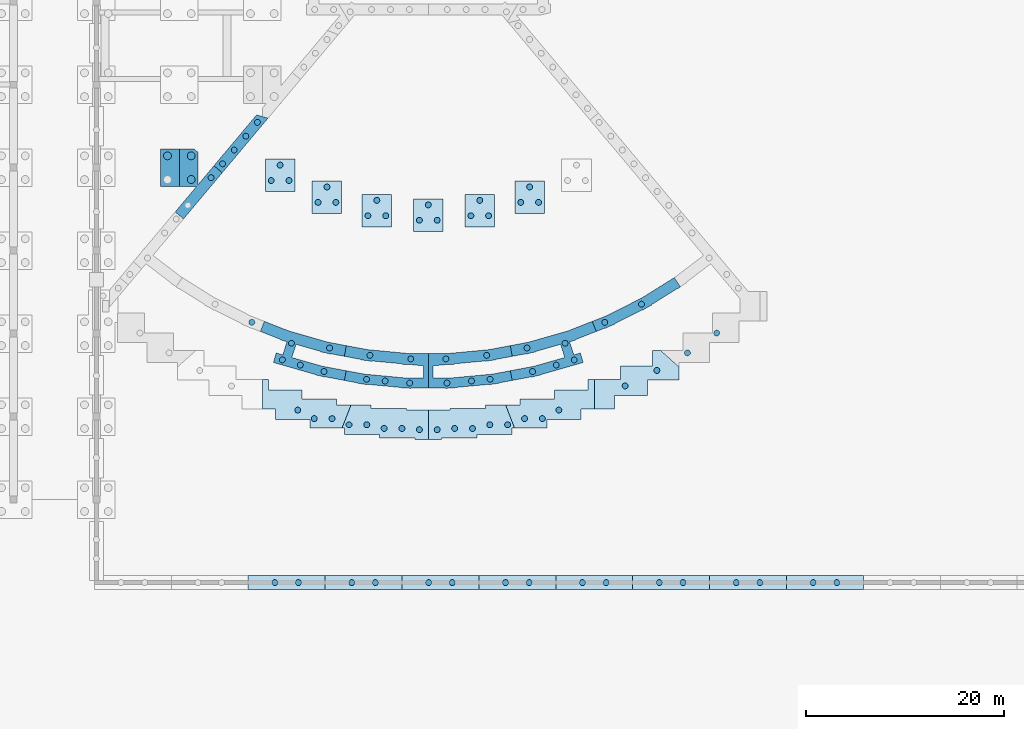
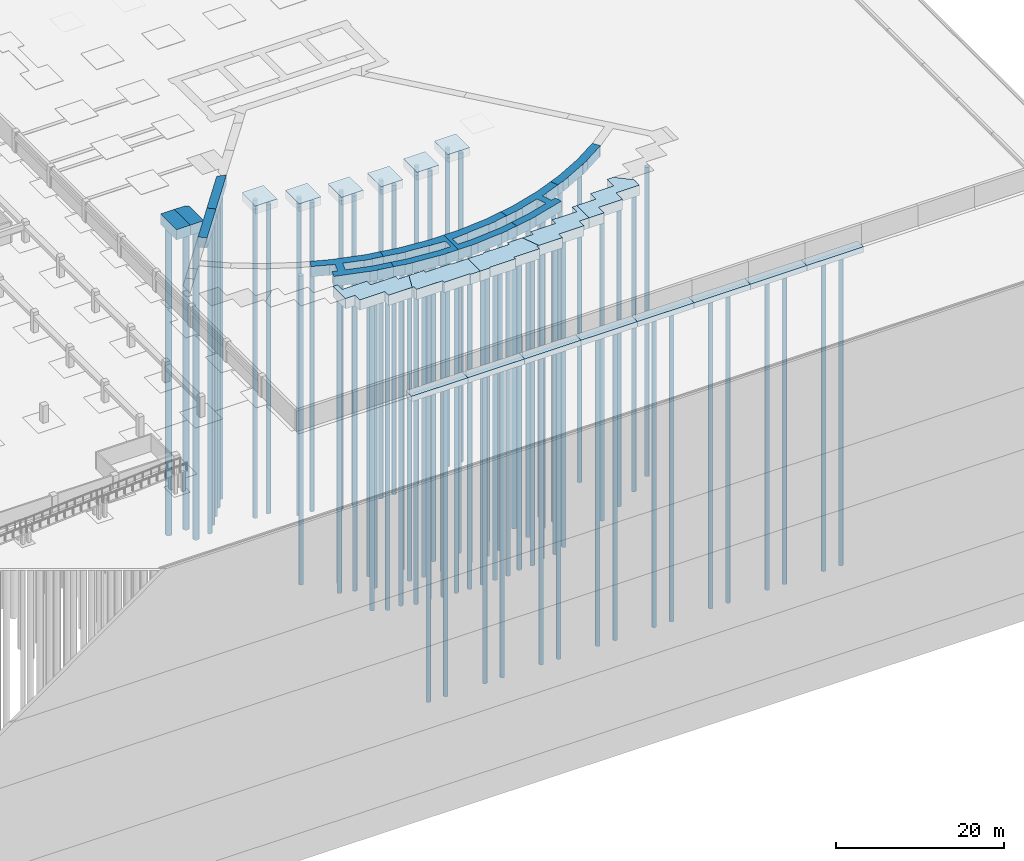
# One storey, part 8 of 67: 85 piles, 27 footings.
"""IFC4 building model written with IfcOpenShell, lengths in metres."""

import ifcopenshell
import ifcopenshell.guid

model = None  # the IFC model being written
_history = None  # IfcOwnerHistory: only IFC2X3 demands one
_inside = {}  # id of a spatial element -> (the spatial element, [elements in it])
_under = {}  # id of a project, library or spatial element -> (it, [spatial elements below it])
_declared = {}  # id of a project -> (the project, [libraries it declares])
_typed = {}  # id of a type object -> (the type object, [elements of that type])
_made_of = {}  # id of a material, layer set ... -> (it, [elements and type objects made of it])


def new_model(schema):
    """Start an empty IFC model of exactly this schema.

    Asked for "IFC4X3", IfcOpenShell would pick the latest addendum, in which some entities
    have other attributes; the version numbers below select the first issue.
    IFC2X3 requires an IfcOwnerHistory on every rooted entity: one is made here for all.
    """
    global model, _history
    if schema == "IFC4X3":
        model = ifcopenshell.file(schema_version=(4, 3, 0, 0))
    else:
        model = ifcopenshell.file(schema=schema)
    _inside.clear()
    _under.clear()
    _declared.clear()
    _typed.clear()
    _made_of.clear()
    _history = None
    if model.schema == "IFC2X3":
        org = make("IfcOrganization", Name="unknown")
        user = make(
            "IfcPersonAndOrganization",
            ThePerson=make("IfcPerson", FamilyName="unknown"),
            TheOrganization=org,
        )
        app = make(
            "IfcApplication",
            ApplicationDeveloper=org,
            Version="unknown",
            ApplicationFullName="unknown",
            ApplicationIdentifier="unknown",
        )
        _history = make(
            "IfcOwnerHistory",
            OwningUser=user,
            OwningApplication=app,
            ChangeAction="ADDED",
            CreationDate=0,
        )
    return model


def make(cls, **values):
    """One entity of the class cls with the attributes given. An attribute that is None is left unset."""
    return model.create_entity(
        cls, **{name: value for name, value in values.items() if value is not None}
    )


def rooted(cls, **values):
    """An entity with a GlobalId (a new one), such as an element, a storey or a relation."""
    return make(cls, GlobalId=ifcopenshell.guid.new(), OwnerHistory=_history, **values)


def si_unit(unit_type, name, prefix=None):
    """IfcSIUnit, for example si_unit("LENGTHUNIT", "METRE", prefix="MILLI")."""
    return make("IfcSIUnit", UnitType=unit_type, Prefix=prefix, Name=name)


def assignment(units):
    """IfcUnitAssignment: the units of a project."""
    return None if units is None else make("IfcUnitAssignment", Units=units)


def point(xyz):
    """IfcCartesianPoint."""
    return None if xyz is None else make("IfcCartesianPoint", Coordinates=xyz)


def direction(xyz):
    """IfcDirection."""
    return None if xyz is None else make("IfcDirection", DirectionRatios=xyz)


def frame(location, z_axis=None, x_axis=None):
    """IfcAxis2Placement3D, a coordinate frame: its origin and axes. An axis left out is left unset."""
    return make(
        "IfcAxis2Placement3D",
        Location=point(location),
        Axis=direction(z_axis),
        RefDirection=direction(x_axis),
    )


def frame_2d(location, x_axis=None):
    """IfcAxis2Placement2D, a coordinate frame in the plane: its origin and x axis."""
    return make(
        "IfcAxis2Placement2D", Location=point(location), RefDirection=direction(x_axis)
    )


def origin():
    """The frame at (0, 0, 0) with its axes left unset."""
    return frame((0.0, 0.0, 0.0))


def origin_2d():
    """The frame at (0, 0) in the plane with its x axis left unset."""
    return frame_2d((0.0, 0.0))


def place(relative_to, where):
    """IfcLocalPlacement: puts the frame where relative to a parent placement (None: the world)."""
    return make(
        "IfcLocalPlacement", PlacementRelTo=relative_to, RelativePlacement=where
    )


def context(
    kind, dimensions, precision=None, world=None, true_north=None, identifier=None
):
    """IfcGeometricRepresentationContext, for example the 3D "Model" context."""
    return make(
        "IfcGeometricRepresentationContext",
        ContextIdentifier=identifier,
        ContextType=kind,
        CoordinateSpaceDimension=dimensions,
        Precision=precision,
        WorldCoordinateSystem=world,
        TrueNorth=true_north,
    )


def subcontext(parent, identifier, kind, view, scale=None):
    """IfcGeometricRepresentationSubContext, for example "Body" below "Model"."""
    return make(
        "IfcGeometricRepresentationSubContext",
        ContextIdentifier=identifier,
        ContextType=kind,
        ParentContext=parent,
        TargetScale=scale,
        TargetView=view,
    )


def project(units=None, contexts=None):
    """IfcProject with its units and contexts."""
    return rooted(
        "IfcProject",
        Name="project",
        RepresentationContexts=contexts,
        UnitsInContext=assignment(units),
    )


def spatial(cls, under=None, at=None, **own):
    """A site, building, storey or space (cls), placed at a placement, below another one or the project."""
    s = rooted(cls, ObjectPlacement=at, **own)
    if under is not None:
        _under.setdefault(under.id(), (under, []))[1].append(s)
    return s


def polyline(points):
    """IfcPolyline through the points."""
    return make("IfcPolyline", Points=[point(p) for p in points])


def profile(cls, at=None, kind="AREA", **sizes):
    """A parametric profile (cls). Its sizes go by their IFC names, for example OverallWidth=200.0."""
    return make(cls, ProfileType=kind, Position=at, **sizes)


def circle(**sizes):
    """IfcCircleProfileDef."""
    return profile("IfcCircleProfileDef", **sizes)


def outline(outer, holes=None, kind="AREA"):
    """IfcArbitraryClosedProfileDef: a profile drawn as a closed curve; with holes, ...WithVoids."""
    if holes is None:
        return make("IfcArbitraryClosedProfileDef", ProfileType=kind, OuterCurve=outer)
    return make(
        "IfcArbitraryProfileDefWithVoids",
        ProfileType=kind,
        OuterCurve=outer,
        InnerCurves=holes,
    )


def extrude(swept, where, along, depth):
    """IfcExtrudedAreaSolid: the profile swept, set in the frame where, extruded along a direction by depth."""
    return make(
        "IfcExtrudedAreaSolid",
        SweptArea=swept,
        Position=where,
        ExtrudedDirection=direction(along),
        Depth=depth,
    )


def shape(context_of_items, identifier, shape_type, items):
    """IfcShapeRepresentation: the items that make up one representation, for example the "Body"."""
    return make(
        "IfcShapeRepresentation",
        ContextOfItems=context_of_items,
        RepresentationIdentifier=identifier,
        RepresentationType=shape_type,
        Items=items,
    )


def material(Name=None, Category=None):
    """IfcMaterial."""
    return make("IfcMaterial", Name=Name, Category=Category)


def material_profile(
    of_material, cross_section, Name=None, Category=None, Priority=None
):
    """IfcMaterialProfile: a cross section and its material."""
    return make(
        "IfcMaterialProfile",
        Name=Name,
        Material=of_material,
        Profile=cross_section,
        Priority=Priority,
        Category=Category,
    )


def profile_set(profiles, Name=None, composite=None):
    """IfcMaterialProfileSet."""
    return make(
        "IfcMaterialProfileSet",
        Name=Name,
        MaterialProfiles=profiles,
        CompositeProfile=composite,
    )


def made_of(thing, what):
    """Note that an element or type object is made of a material, layer set ...; save() writes the relation."""
    if what is not None:
        _made_of.setdefault(what.id(), (what, []))[1].append(thing)
    return thing


def type_object(cls, material=None, **own):
    """A type object (cls), such as IfcWallType, which elements share."""
    return made_of(rooted(cls, **own), material)


def element(
    cls,
    number,
    at=None,
    inside=None,
    cuts=None,
    type_object=None,
    material=None,
    context=None,
    identifier="Body",
    shape_type=None,
    held_by="IfcProductDefinitionShape",
    body=None,
    shapes=None,
    **own,
):
    """One element of the class cls, such as IfcWall. Its Tag is "e" and its number.

    at: its placement. inside: the storey or other place that contains it. cuts: it is an
    opening in that element (IfcRelVoidsElement). A single representation is given by context,
    identifier, shape_type and body (its items); several are given by shapes. held_by: the class
    of the entity that holds the representations. save() writes the other relations.
    """
    e = rooted(cls, Tag="e%d" % number, ObjectPlacement=at, **own)
    if body is not None:
        shapes = [shape(context, identifier, shape_type, body)]
    if shapes is not None:
        e.Representation = make(held_by, Representations=shapes)
    if inside is not None:
        _inside.setdefault(inside.id(), (inside, []))[1].append(e)
    if cuts is not None:
        rooted(
            "IfcRelVoidsElement", RelatingBuildingElement=cuts, RelatedOpeningElement=e
        )
    if type_object is not None:
        _typed.setdefault(type_object.id(), (type_object, []))[1].append(e)
    return made_of(e, material)


def aggregate(whole, parts):
    """IfcRelAggregates: a whole, such as a stair, and the parts it consists of."""
    return rooted("IfcRelAggregates", RelatingObject=whole, RelatedObjects=parts)


def save(model, path):
    """Write the relations noted so far, then the file.

    IfcRelAggregates (storeys below a building ...), IfcRelContainedInSpatialStructure (elements
    in a storey), IfcRelDefinesByType, IfcRelAssociatesMaterial and IfcRelDeclares: one each for
    every whole, place, type object, material and project.
    """
    for whole, parts in _under.values():
        aggregate(whole, parts)
    for where, things in _inside.values():
        rooted(
            "IfcRelContainedInSpatialStructure",
            RelatedElements=things,
            RelatingStructure=where,
        )
    for kind, things in _typed.values():
        rooted("IfcRelDefinesByType", RelatedObjects=things, RelatingType=kind)
    for what, things in _made_of.values():
        rooted("IfcRelAssociatesMaterial", RelatedObjects=things, RelatingMaterial=what)
    for by, libraries in _declared.values():
        rooted("IfcRelDeclares", RelatingContext=by, RelatedDefinitions=libraries)
    model.write(path)


model = new_model("IFC4")

# Units and contexts
model_context = context("Model", 3, precision=1e-05, world=origin(), true_north=direction((0.0, 1.0)))
body_context = subcontext(model_context, "Body", "Model", "MODEL_VIEW")
ifc_project = project(units=[si_unit("LENGTHUNIT", "METRE"), si_unit("AREAUNIT", "SQUARE_METRE"), si_unit("VOLUMEUNIT", "CUBIC_METRE"), si_unit("PLANEANGLEUNIT", "RADIAN"), si_unit("MASSUNIT", "GRAM", prefix="KILO")], contexts=[model_context])

# Site, building, storey
site_placement = place(None, origin())
site = spatial("IfcSite", under=ifc_project, at=site_placement, CompositionType="ELEMENT")
building_placement = place(site_placement, origin())
building = spatial("IfcBuilding", under=site, at=building_placement, Name="Rain Tree Exposition and Congress Centre", CompositionType="ELEMENT")
storey_placement = place(building_placement, frame((0.0, 0.0, -3.0)))
storey = spatial("IfcBuildingStorey", under=building, at=storey_placement, Name="B1", CompositionType="ELEMENT", Elevation=-3.0)

# Piles
ifc_material_1 = material(Name="Concrete C35/45", Category="concrete")
ifc_material_profile_1 = material_profile(ifc_material_1, circle(Radius=0.300048828125, at=origin_2d()), Name="D600")
ifc_profile_set_1 = profile_set([ifc_material_profile_1], Name="Concrete C35/45")
pile_type_1 = type_object("IfcPileType", Name="Bored pile D600", PredefinedType="BORED", material=ifc_profile_set_1)
for number, where, z_axis, x_axis, name in (
    (1, (184.302978515625, 46.586181640625, 1.2255859375), (0.0, 0.0, -1.0), (1.0, 0.0, 0.0), "Bored pile 1892"),
    (2, (183.12890625, 45.187255859375, 1.2255859375), (0.0, 0.0, -1.0), (1.0, 0.0, 0.0), "Bored pile 1893"),
    (3, (181.955078125, 43.7880859375, 1.2255859375), (0.0, 0.0, -1.0), (1.0, 0.0, 0.0), "Bored pile 1894"),
    (4, (180.78125, 42.389404296875, 1.2255859375), (0.0, 0.0, -1.0), (1.0, 0.0, 0.0), "Bored pile 1895"),
    (5, (179.607421875, 40.990234375, 1.2255859375), (0.0, 0.0, -1.0), (1.0, 0.0, 0.0), "Bored pile 1897"),
    (6, (227.831787109375, 23.26025390625, 1.2255859375), (0.0, 0.0, -1.0), (1.0, 0.0, 0.0), "Bored pile 1947"),
    (7, (230.794677734375, 25.258544921875, 1.2255859375), (0.0, 0.0, -1.0), (1.0, 0.0, 0.0), "Bored pile 1948"),
    (8, (221.52490234375, 19.90673828125, 1.2255859375), (0.0, 0.0, -1.0), (1.0, 0.0, 0.0), "Bored pile 1954"),
    (9, (224.73681640625, 21.473388671875, 1.2255859375), (0.0, 0.0, -1.0), (1.0, 0.0, 0.0), "Bored pile 1955"),
    (10, (211.34521484375, 16.59912109375, 1.2255859375), (0.0, 0.0, -1.0), (1.0, 0.0, 0.0), "Bored pile 1956"),
    (11, (213.14501953125, 16.59912109375, 1.2255859375), (0.0, 0.0, -1.0), (1.0, 0.0, 0.0), "Bored pile 1957"),
    (12, (214.8125, 17.463623046875, 1.2255859375), (0.0, 0.0, -1.0), (1.0, 0.0, 0.0), "Bored pile 1958"),
    (13, (202.5, 15.480224609375, 1.2255859375), (0.0, 0.0, -1.0), (1.0, 0.0, 0.0), "Bored pile 1959"),
    (14, (204.271484375, 15.60498046875, 1.2255859375), (0.0, 0.0, -1.0), (1.0, 0.0, 0.0), "Bored pile 1960"),
    (15, (206.071533203125, 15.60498046875, 1.2255859375), (0.0, 0.0, -1.0), (1.0, 0.0, 0.0), "Bored pile 1961"),
    (16, (207.82568359375, 15.978515625, 1.2255859375), (0.0, 0.0, -1.0), (1.0, 0.0, 0.0), "Bored pile 1962"),
    (17, (209.625732421875, 15.978515625, 1.2255859375), (0.0, 0.0, -1.0), (1.0, 0.0, 0.0), "Bored pile 1963"),
    (18, (200.699951171875, 15.480224609375, 1.2255859375), (0.0, 0.0, -1.0), (1.0, 0.0, 0.0), "Bored pile 1964"),
    (19, (197.12841796875, 15.60498046875, 1.2255859375), (0.0, 0.0, -1.0), (1.0, 0.0, 0.0), "Bored pile 1965"),
    (20, (198.928466796875, 15.60498046875, 1.2255859375), (0.0, 0.0, -1.0), (1.0, 0.0, 0.0), "Bored pile 1966"),
    (21, (193.57421875, 15.978515625, 1.2255859375), (0.0, 0.0, -1.0), (1.0, 0.0, 0.0), "Bored pile 1967"),
    (22, (195.374267578125, 15.978515625, 1.2255859375), (0.0, 0.0, -1.0), (1.0, 0.0, 0.0), "Bored pile 1968"),
    (23, (190.054931640625, 16.59912109375, 1.2255859375), (0.0, 0.0, -1.0), (1.0, 0.0, 0.0), "Bored pile 1969"),
    (24, (191.85498046875, 16.59912109375, 1.2255859375), (0.0, 0.0, -1.0), (1.0, 0.0, 0.0), "Bored pile 1970"),
    (25, (188.387451171875, 17.463623046875, 1.2255859375), (0.0, 0.0, -1.0), (1.0, 0.0, 0.0), "Bored pile 1971"),
    (26, (219.461181640625, 26.3466796875, 1.2255859375), (0.0, 0.0, -1.0), (1.0, 0.0, 0.0), "Bored pile 1976"),
    (27, (223.180908203125, 28.183837890625, 1.2255859375), (0.0, 0.0, -1.0), (1.0, 0.0, 0.0), "Bored pile 1977"),
    (28, (212.15576171875, 21.36279296875, 1.2255859375), (0.0, 0.0, -1.0), (1.0, 0.0, 0.0), "Bored pile 1978"),
    (29, (214.5546875, 22.021484375, 1.2255859375), (0.0, 0.0, -1.0), (1.0, 0.0, 0.0), "Bored pile 1979"),
    (30, (216.37060546875, 22.542236328125, 1.2255859375), (0.0, 0.0, -1.0), (1.0, 0.0, 0.0), "Bored pile 1980"),
    (31, (211.5908203125, 23.74658203125, 1.2255859375), (0.0, 0.0, -1.0), (1.0, 0.0, 0.0), "Bored pile 1981"),
    (32, (215.4521484375, 24.2275390625, 1.2255859375), (0.0, 0.0, -1.0), (1.0, 0.0, 0.0), "Bored pile 1982"),
    (33, (203.489013671875, 20.200927734375, 1.2255859375), (0.0, 0.0, -1.0), (1.0, 0.0, 0.0), "Bored pile 1983"),
    (34, (205.968505859375, 20.404541015625, 1.2255859375), (0.0, 0.0, -1.0), (1.0, 0.0, 0.0), "Bored pile 1984"),
    (35, (207.849365234375, 20.580078125, 1.2255859375), (0.0, 0.0, -1.0), (1.0, 0.0, 0.0), "Bored pile 1985"),
    (36, (203.375, 22.648193359375, 1.2255859375), (0.0, 0.0, -1.0), (1.0, 0.0, 0.0), "Bored pile 1986"),
    (37, (207.50830078125, 23.006103515625, 1.2255859375), (0.0, 0.0, -1.0), (1.0, 0.0, 0.0), "Bored pile 1987"),
    (38, (199.7109375, 20.200927734375, 1.2255859375), (0.0, 0.0, -1.0), (1.0, 0.0, 0.0), "Bored pile 1988"),
    (39, (195.3505859375, 20.580078125, 1.2255859375), (0.0, 0.0, -1.0), (1.0, 0.0, 0.0), "Bored pile 1989"),
    (40, (197.2314453125, 20.404541015625, 1.2255859375), (0.0, 0.0, -1.0), (1.0, 0.0, 0.0), "Bored pile 1990"),
    (41, (199.824951171875, 22.648193359375, 1.2255859375), (0.0, 0.0, -1.0), (1.0, 0.0, 0.0), "Bored pile 1991"),
    (42, (195.691650390625, 23.006103515625, 1.2255859375), (0.0, 0.0, -1.0), (1.0, 0.0, 0.0), "Bored pile 1992"),
    (43, (191.044189453125, 21.36279296875, 1.2255859375), (0.0, 0.0, -1.0), (1.0, 0.0, 0.0), "Bored pile 1993"),
    (44, (186.82958984375, 22.542236328125, 1.2255859375), (0.0, 0.0, -1.0), (1.0, 0.0, 0.0), "Bored pile 1994"),
    (45, (188.645263671875, 22.021484375, 1.2255859375), (0.0, 0.0, -1.0), (1.0, 0.0, 0.0), "Bored pile 1995"),
    (46, (191.609375, 23.74658203125, 1.2255859375), (0.0, 0.0, -1.0), (1.0, 0.0, 0.0), "Bored pile 1996"),
    (47, (187.747802734375, 24.2275390625, 1.2255859375), (0.0, 0.0, -1.0), (1.0, 0.0, 0.0), "Bored pile 1997"),
    (48, (183.739013671875, 26.3466796875, 1.2255859375), (0.0, 0.0, -1.0), (1.0, 0.0, 0.0), "Bored pile 1998"),
    (49, (200.699951171875, 36.680419921875, 1.574951171875), (0.0, 0.0, -1.0), (1.0, 0.0, 0.0), "Bored pile 2286"),
    (50, (202.5, 36.680419921875, 1.574951171875), (0.0, 0.0, -1.0), (1.0, 0.0, 0.0), "Bored pile 2287"),
    (51, (201.60009765625, 38.2392578125, 1.574951171875), (0.0, 0.0, -1.0), (1.0, 0.0, 0.0), "Bored pile 2288"),
    (52, (205.909423828125, 37.135986328125, 1.574951171875), (0.0, 0.0, -1.0), (1.0, 0.0, 0.0), "Bored pile 2289"),
    (53, (207.70947265625, 37.135986328125, 1.574951171875), (0.0, 0.0, -1.0), (1.0, 0.0, 0.0), "Bored pile 2290"),
    (54, (206.809326171875, 38.695068359375, 1.574951171875), (0.0, 0.0, -1.0), (1.0, 0.0, 0.0), "Bored pile 2291"),
    (55, (195.490478515625, 37.135986328125, 1.574951171875), (0.0, 0.0, -1.0), (1.0, 0.0, 0.0), "Bored pile 2292"),
    (56, (197.29052734375, 37.135986328125, 1.574951171875), (0.0, 0.0, -1.0), (1.0, 0.0, 0.0), "Bored pile 2293"),
    (57, (196.390625, 38.695068359375, 1.574951171875), (0.0, 0.0, -1.0), (1.0, 0.0, 0.0), "Bored pile 2294"),
    (58, (210.960693359375, 38.489501953125, 1.574951171875), (0.0, 0.0, -1.0), (1.0, 0.0, 0.0), "Bored pile 2295"),
    (59, (212.760498046875, 38.489501953125, 1.574951171875), (0.0, 0.0, -1.0), (1.0, 0.0, 0.0), "Bored pile 2296"),
    (60, (211.860595703125, 40.048583984375, 1.574951171875), (0.0, 0.0, -1.0), (1.0, 0.0, 0.0), "Bored pile 2297"),
    (61, (190.439453125, 38.489501953125, 1.574951171875), (0.0, 0.0, -1.0), (1.0, 0.0, 0.0), "Bored pile 2298"),
    (62, (192.239501953125, 38.489501953125, 1.574951171875), (0.0, 0.0, -1.0), (1.0, 0.0, 0.0), "Bored pile 2299"),
    (63, (191.33935546875, 40.048583984375, 1.574951171875), (0.0, 0.0, -1.0), (1.0, 0.0, 0.0), "Bored pile 2300"),
    (64, (185.699951171875, 40.699462890625, 1.574951171875), (0.0, 0.0, -1.0), (1.0, 0.0, 0.0), "Bored pile 2301"),
    (65, (187.5, 40.699462890625, 1.574951171875), (0.0, 0.0, -1.0), (1.0, 0.0, 0.0), "Bored pile 2302"),
    (66, (186.60009765625, 42.258544921875, 1.574951171875), (0.0, 0.0, -1.0), (1.0, 0.0, 0.0), "Bored pile 2303"),
    (67, (242.951416015625, 0.0, -0.72509765625), (0.0, 0.0, -1.0), (1.0, 0.0, 0.0), "Bored pile 2570"),
    (68, (240.556396484375, 0.0, -0.72509765625), (0.0, 0.0, -1.0), (1.0, 0.0, 0.0), "Bored pile 2571"),
    (69, (235.166748046875, 0.0, -0.72509765625), (0.0, 0.0, -1.0), (1.0, 0.0, 0.0), "Bored pile 2572"),
    (70, (232.771728515625, 0.0, -0.72509765625), (0.0, 0.0, -1.0), (1.0, 0.0, 0.0), "Bored pile 2573"),
    (71, (227.382080078125, 0.0, -0.72509765625), (0.0, 0.0, -1.0), (1.0, 0.0, 0.0), "Bored pile 2574"),
    (72, (224.9873046875, 0.0, -0.72509765625), (0.0, 0.0, -1.0), (1.0, 0.0, 0.0), "Bored pile 2575"),
    (73, (219.597412109375, 0.0, -0.72509765625), (0.0, 0.0, -1.0), (1.0, 0.0, 0.0), "Bored pile 2576"),
    (74, (217.20263671875, 0.0, -0.72509765625), (0.0, 0.0, -1.0), (1.0, 0.0, 0.0), "Bored pile 2577"),
    (75, (211.812744140625, 0.0, -0.72509765625), (0.0, 0.0, -1.0), (1.0, 0.0, 0.0), "Bored pile 2578"),
    (76, (209.41796875, 0.0, -0.72509765625), (0.0, 0.0, -1.0), (1.0, 0.0, 0.0), "Bored pile 2579"),
    (77, (204.0283203125, 0.0, -0.72509765625), (0.0, 0.0, -1.0), (1.0, 0.0, 0.0), "Bored pile 2580"),
    (78, (201.63330078125, 0.0, -0.72509765625), (0.0, 0.0, -1.0), (1.0, 0.0, 0.0), "Bored pile 2581"),
    (79, (196.24365234375, 0.0, -0.72509765625), (0.0, 0.0, -1.0), (1.0, 0.0, 0.0), "Bored pile 2582"),
    (80, (193.8486328125, 0.0, -0.72509765625), (0.0, 0.0, -1.0), (1.0, 0.0, 0.0), "Bored pile 2583"),
    (81, (188.458984375, 0.0, -0.72509765625), (0.0, 0.0, -1.0), (1.0, 0.0, 0.0), "Bored pile 2584"),
    (82, (186.064208984375, 0.0, -0.72509765625), (0.0, 0.0, -1.0), (1.0, 0.0, 0.0), "Bored pile 2585"),
):
    element("IfcPile", number, at=place(storey_placement, frame(where, z_axis=z_axis, x_axis=x_axis)), inside=storey, type_object=pile_type_1, Name=name, PredefinedType="BORED", context=body_context, shape_type="SweptSolid", body=[
        extrude(circle(Radius=0.300048828125, at=origin_2d()), origin(), (0.0, 0.0, 1.0), 45.074951171875),
    ])
ifc_material_2 = material(Name="Concrete C35/45", Category="concrete")
ifc_material_profile_2 = material_profile(ifc_material_2, circle(Radius=0.39990234375, at=origin_2d()), Name="D800")
ifc_profile_set_2 = profile_set([ifc_material_profile_2], Name="Concrete C35/45")
pile_type_2 = type_object("IfcPileType", Name="Bored pile D800", PredefinedType="BORED", material=ifc_profile_set_2)
for number, where, z_axis, x_axis, name in (
    (83, (177.60009765625, 43.199951171875, 1.2255859375), (0.0, 0.0, -1.0), (1.0, 0.0, 0.0), "Bored pile 1896"),
    (84, (177.60009765625, 40.800048828125, 1.2255859375), (0.0, 0.0, -1.0), (1.0, 0.0, 0.0), "Bored pile 1898"),
    (85, (175.199951171875, 43.199951171875, 1.2255859375), (0.0, 0.0, -1.0), (1.0, 0.0, 0.0), "Bored pile 1901"),
):
    element("IfcPile", number, at=place(storey_placement, frame(where, z_axis=z_axis, x_axis=x_axis)), inside=storey, type_object=pile_type_2, Name=name, PredefinedType="BORED", context=body_context, shape_type="SweptSolid", body=[
        extrude(circle(Radius=0.39990234375, at=origin_2d()), origin(), (0.0, 0.0, 1.0), 45.074951171875),
    ])

# Footings
ifc_material_3 = material(Name="Concrete C35/45", Category="concrete")
footing_type_1 = type_object("IfcFootingType", Name="Pile cap 1200 thick", PredefinedType="PILE_CAP", material=ifc_material_3)
footing_1_placement = place(storey_placement, frame((0.0, 0.0, 1.5)))
element("IfcFooting", 86, at=footing_1_placement, inside=storey, type_object=footing_type_1, Name="Pile cap 344", PredefinedType="PILE_CAP", context=body_context, shape_type="SweptSolid", body=[
    extrude(outline(polyline([(203.10009765625, 35.560791015625), (203.10009765625, 38.83935546875), (200.10009765625, 38.83935546875), (200.10009765625, 35.560791015625), (203.10009765625, 35.560791015625)])), origin(), (0.0, 0.0, 1.0), 1.199951171875),
])
footing_2_placement = place(storey_placement, frame((0.0, 0.0, 1.5)))
element("IfcFooting", 87, at=footing_2_placement, inside=storey, type_object=footing_type_1, Name="Pile cap 345", PredefinedType="PILE_CAP", context=body_context, shape_type="SweptSolid", body=[
    extrude(outline(polyline([(208.309326171875, 36.0166015625), (208.309326171875, 39.295166015625), (205.309326171875, 39.295166015625), (205.309326171875, 36.0166015625), (208.309326171875, 36.0166015625)])), origin(), (0.0, 0.0, 1.0), 1.199951171875),
])
footing_3_placement = place(storey_placement, frame((0.0, 0.0, 1.5)))
element("IfcFooting", 88, at=footing_3_placement, inside=storey, type_object=footing_type_1, Name="Pile cap 346", PredefinedType="PILE_CAP", context=body_context, shape_type="SweptSolid", body=[
    extrude(outline(polyline([(197.890625, 36.0166015625), (197.890625, 39.295166015625), (194.890625, 39.295166015625), (194.890625, 36.0166015625), (197.890625, 36.0166015625)])), origin(), (0.0, 0.0, 1.0), 1.199951171875),
])
footing_4_placement = place(storey_placement, frame((0.0, 0.0, 1.5)))
element("IfcFooting", 89, at=footing_4_placement, inside=storey, type_object=footing_type_1, Name="Pile cap 347", PredefinedType="PILE_CAP", context=body_context, shape_type="SweptSolid", body=[
    extrude(outline(polyline([(213.360595703125, 37.369873046875), (213.360595703125, 40.6484375), (210.360595703125, 40.6484375), (210.360595703125, 37.369873046875), (213.360595703125, 37.369873046875)])), origin(), (0.0, 0.0, 1.0), 1.199951171875),
])
footing_5_placement = place(storey_placement, frame((0.0, 0.0, 1.5)))
element("IfcFooting", 90, at=footing_5_placement, inside=storey, type_object=footing_type_1, Name="Pile cap 348", PredefinedType="PILE_CAP", context=body_context, shape_type="SweptSolid", body=[
    extrude(outline(polyline([(192.83935546875, 37.369873046875), (192.83935546875, 40.6484375), (189.83935546875, 40.6484375), (189.83935546875, 37.369873046875), (192.83935546875, 37.369873046875)])), origin(), (0.0, 0.0, 1.0), 1.199951171875),
])
footing_6_placement = place(storey_placement, frame((0.0, 0.0, 1.5)))
element("IfcFooting", 91, at=footing_6_placement, inside=storey, type_object=footing_type_1, Name="Pile cap 349", PredefinedType="PILE_CAP", context=body_context, shape_type="SweptSolid", body=[
    extrude(outline(polyline([(188.10009765625, 39.579833984375), (188.10009765625, 42.8583984375), (185.10009765625, 42.8583984375), (185.10009765625, 39.579833984375), (188.10009765625, 39.579833984375)])), origin(), (0.0, 0.0, 1.0), 1.199951171875),
])
ifc_material_4 = material(Name="Concrete C35/45", Category="concrete")
footing_type_2 = type_object("IfcFootingType", Name="Strip footing 1500 thick", PredefinedType="STRIP_FOOTING", material=ifc_material_4)
footing_7_placement = place(storey_placement, frame((0.0, 0.0, 1.150634765625)))
element("IfcFooting", 92, at=footing_7_placement, inside=storey, type_object=footing_type_2, Name="Strip footing 059", PredefinedType="STRIP_FOOTING", context=body_context, shape_type="SweptSolid", body=[
    extrude(outline(polyline([(184.218994140625, 47.341796875), (179.90234375, 42.197509765625), (180.7451171875, 41.490478515625), (185.381103515625, 47.015380859375), (184.218994140625, 47.341796875)])), origin(), (0.0, 0.0, 1.0), 1.5),
])
footing_8_placement = place(storey_placement, frame((0.0, 0.0, 1.150634765625)))
element("IfcFooting", 93, at=footing_8_placement, inside=storey, type_object=footing_type_2, Name="Strip footing 060", PredefinedType="STRIP_FOOTING", context=body_context, shape_type="SweptSolid", body=[
    extrude(outline(polyline([(178.142333984375, 40.10009765625), (175.978759765625, 37.521240234375), (176.8212890625, 36.814208984375), (180.7451171875, 41.490478515625), (179.90234375, 42.197509765625), (178.300048828125, 40.287841796875), (178.300048828125, 43.5419921875), (177.873291015625, 43.89990234375), (176.39990234375, 43.89990234375), (176.39990234375, 40.10009765625), (178.142333984375, 40.10009765625)])), origin(), (0.0, 0.0, 1.0), 1.5),
])
footing_9_placement = place(storey_placement, frame((0.0, 0.0, 1.150634765625)))
element("IfcFooting", 94, at=footing_9_placement, inside=storey, type_object=footing_type_2, Name="Strip footing 061", PredefinedType="STRIP_FOOTING", context=body_context, shape_type="SweptSolid", body=[
    extrude(outline(polyline([(176.39990234375, 40.10009765625), (176.39990234375, 43.89990234375), (174.5, 43.89990234375), (174.5, 40.10009765625), (176.39990234375, 40.10009765625)])), origin(), (0.0, 0.0, 1.0), 1.5),
])
footing_10_placement = place(storey_placement, frame((0.0, 0.0, 1.150634765625)))
element("IfcFooting", 95, at=footing_10_placement, inside=storey, type_object=footing_type_2, Name="Strip footing 073", PredefinedType="STRIP_FOOTING", context=body_context, shape_type="SweptSolid", body=[
    extrude(outline(polyline([(226.98681640625, 21.82568359375), (225.13671875, 23.482421875), (224.286865234375, 23.482421875), (224.286865234375, 21.915771484375), (221.074951171875, 21.915771484375), (221.074951171875, 20.576904296875), (218.39990234375, 20.576904296875), (218.39990234375, 17.598388671875), (220.46142578125, 17.598388671875), (220.46142578125, 18.937255859375), (223.77490234375, 18.937255859375), (223.77490234375, 20.50390625), (226.98681640625, 20.50390625), (226.98681640625, 21.82568359375)])), origin(), (0.0, 0.0, 1.0), 1.5),
])
footing_11_placement = place(storey_placement, frame((0.0, 0.0, 1.150634765625)))
element("IfcFooting", 96, at=footing_11_placement, inside=storey, type_object=footing_type_2, Name="Strip footing 074", PredefinedType="STRIP_FOOTING", context=body_context, shape_type="SweptSolid", body=[
    extrude(outline(polyline([(218.39990234375, 17.598388671875), (218.39990234375, 20.576904296875), (217.761474609375, 20.576904296875), (217.761474609375, 19.47265625), (214.362548828125, 19.47265625), (214.362548828125, 18.608154296875), (210.89501953125, 18.608154296875), (210.89501953125, 17.987548828125), (209.42236328125, 17.987548828125), (210.3369140625, 15.62939453125), (213.59521484375, 15.62939453125), (213.59521484375, 16.494140625), (217.0625, 16.494140625), (217.0625, 17.598388671875), (218.39990234375, 17.598388671875)])), origin(), (0.0, 0.0, 1.0), 1.5),
])
footing_12_placement = place(storey_placement, frame((0.0, 0.0, 1.150634765625)))
element("IfcFooting", 97, at=footing_12_placement, inside=storey, type_object=footing_type_2, Name="Strip footing 075", PredefinedType="STRIP_FOOTING", context=body_context, shape_type="SweptSolid", body=[
    extrude(outline(polyline([(210.3369140625, 15.62939453125), (209.42236328125, 17.987548828125), (207.375732421875, 17.987548828125), (207.375732421875, 17.614013671875), (203.821533203125, 17.614013671875), (203.821533203125, 17.4892578125), (201.60009765625, 17.4892578125), (201.60009765625, 14.5107421875), (202.949951171875, 14.5107421875), (202.949951171875, 14.635498046875), (206.521484375, 14.635498046875), (206.521484375, 15.009033203125), (210.07568359375, 15.009033203125), (210.07568359375, 15.62939453125), (210.3369140625, 15.62939453125)])), origin(), (0.0, 0.0, 1.0), 1.5),
])
footing_13_placement = place(storey_placement, frame((0.0, 0.0, 1.150634765625)))
element("IfcFooting", 98, at=footing_13_placement, inside=storey, type_object=footing_type_2, Name="Strip footing 076", PredefinedType="STRIP_FOOTING", context=body_context, shape_type="SweptSolid", body=[
    extrude(outline(polyline([(201.60009765625, 14.5107421875), (201.60009765625, 17.4892578125), (199.37841796875, 17.4892578125), (199.37841796875, 17.614013671875), (195.82421875, 17.614013671875), (195.82421875, 17.987548828125), (193.777587890625, 17.987548828125), (192.863037109375, 15.62939453125), (193.124267578125, 15.62939453125), (193.124267578125, 15.009033203125), (196.678466796875, 15.009033203125), (196.678466796875, 14.635498046875), (200.25, 14.635498046875), (200.25, 14.5107421875), (201.60009765625, 14.5107421875)])), origin(), (0.0, 0.0, 1.0), 1.5),
])
footing_14_placement = place(storey_placement, frame((0.0, 0.0, 1.150634765625)))
element("IfcFooting", 99, at=footing_14_placement, inside=storey, type_object=footing_type_2, Name="Strip footing 077", PredefinedType="STRIP_FOOTING", context=body_context, shape_type="SweptSolid", body=[
    extrude(outline(polyline([(192.863037109375, 15.62939453125), (193.777587890625, 17.987548828125), (192.304931640625, 17.987548828125), (192.304931640625, 18.608154296875), (188.83740234375, 18.608154296875), (188.83740234375, 19.47265625), (185.438720703125, 19.47265625), (185.438720703125, 20.576904296875), (184.800048828125, 20.576904296875), (184.800048828125, 17.598388671875), (186.137451171875, 17.598388671875), (186.137451171875, 16.494140625), (189.60498046875, 16.494140625), (189.60498046875, 15.62939453125), (192.863037109375, 15.62939453125)])), origin(), (0.0, 0.0, 1.0), 1.5),
])
footing_15_placement = place(storey_placement, frame((0.0, 0.0, 1.150634765625)))
element("IfcFooting", 100, at=footing_15_placement, inside=storey, type_object=footing_type_2, Name="Strip footing 080", PredefinedType="STRIP_FOOTING", context=body_context, shape_type="SweptSolid", body=[
    extrude(outline(polyline([(227.119873046875, 29.94140625), (226.5, 30.873291015625), (223.179443359375, 28.79833984375), (219.5166015625, 26.958984375), (218.199951171875, 26.444580078125), (218.60009765625, 25.419921875), (219.473876953125, 25.76123046875), (219.495849609375, 25.717529296875), (219.96435546875, 25.952880859375), (220.452880859375, 26.143798828125), (220.43505859375, 26.189208984375), (223.248291015625, 27.60205078125), (223.274169921875, 27.560546875), (223.71875, 27.83837890625), (224.1875, 28.07373046875), (224.16552734375, 28.117431640625), (226.8349609375, 29.78564453125), (226.86474609375, 29.74658203125), (227.119873046875, 29.94140625)])), origin(), (0.0, 0.0, 1.0), 1.5),
])
footing_16_placement = place(storey_placement, frame((0.0, 0.0, 1.150634765625)))
element("IfcFooting", 101, at=footing_16_placement, inside=storey, type_object=footing_type_2, Name="Strip footing 081", PredefinedType="STRIP_FOOTING", context=body_context, shape_type="SweptSolid", body=[
    extrude(outline(polyline([(218.60009765625, 25.419921875), (218.199951171875, 26.444580078125), (215.698486328125, 25.4677734375), (211.758544921875, 24.337890625), (209.898193359375, 23.987548828125), (210.101806640625, 22.906494140625), (211.494873046875, 23.1689453125), (211.50830078125, 23.121826171875), (212.012451171875, 23.266357421875), (212.52783203125, 23.363525390625), (212.518798828125, 23.41162109375), (214.98779296875, 24.11962890625), (215.416748046875, 22.7890625), (212.335205078125, 21.9052734375), (210.360595703125, 21.533447265625), (209.907470703125, 21.447998046875), (210.092529296875, 20.46533203125), (212.095458984375, 20.842529296875), (212.107666015625, 20.7998046875), (212.56591796875, 20.93115234375), (213.034423828125, 21.019287109375), (213.026123046875, 21.06298828125), (217.27734375, 22.2822265625), (217.001708984375, 23.243408203125), (216.33056640625, 23.051025390625), (215.901611328125, 24.381591796875), (216.55517578125, 24.569091796875), (216.54150390625, 24.6162109375), (218.60009765625, 25.419921875)])), origin(), (0.0, 0.0, 1.0), 1.5),
])
footing_17_placement = place(storey_placement, frame((0.0, 0.0, 1.150634765625)))
element("IfcFooting", 102, at=footing_17_placement, inside=storey, type_object=footing_type_2, Name="Strip footing 082", PredefinedType="STRIP_FOOTING", context=body_context, shape_type="SweptSolid", body=[
    extrude(outline(polyline([(210.092529296875, 20.46533203125), (209.907470703125, 21.447998046875), (208.078369140625, 21.103515625), (203.765625, 20.700927734375), (202.074951171875, 20.700927734375), (202.074951171875, 21.946533203125), (203.70068359375, 22.098388671875), (204.22509765625, 22.098388671875), (204.22509765625, 22.147216796875), (207.359375, 22.439697265625), (207.368408203125, 22.3916015625), (207.8837890625, 22.48876953125), (208.40576171875, 22.53759765625), (208.4013671875, 22.586181640625), (209.648681640625, 22.8212890625), (210.101806640625, 22.906494140625), (209.898193359375, 23.987548828125), (207.73046875, 23.5791015625), (203.6494140625, 23.1982421875), (201.60009765625, 23.1982421875), (201.60009765625, 19.700927734375), (203.33349609375, 19.700927734375), (203.337646484375, 19.65673828125), (203.812255859375, 19.700927734375), (204.2890625, 19.700927734375), (204.2890625, 19.74560546875), (207.740966796875, 20.067626953125), (207.749267578125, 20.02392578125), (208.2177734375, 20.1123046875), (208.6923828125, 20.156494140625), (208.688232421875, 20.20068359375), (210.092529296875, 20.46533203125)])), origin(), (0.0, 0.0, 1.0), 1.5),
])
footing_18_placement = place(storey_placement, frame((0.0, 0.0, 1.150634765625)))
element("IfcFooting", 103, at=footing_18_placement, inside=storey, type_object=footing_type_2, Name="Strip footing 083", PredefinedType="STRIP_FOOTING", context=body_context, shape_type="SweptSolid", body=[
    extrude(outline(polyline([(201.60009765625, 19.700927734375), (201.60009765625, 23.1982421875), (199.550537109375, 23.1982421875), (195.469482421875, 23.5791015625), (193.3017578125, 23.987548828125), (193.09814453125, 22.906494140625), (193.55126953125, 22.8212890625), (194.798583984375, 22.586181640625), (194.794189453125, 22.53759765625), (195.31640625, 22.48876953125), (195.83154296875, 22.3916015625), (195.8408203125, 22.439697265625), (198.97509765625, 22.147216796875), (198.97509765625, 22.098388671875), (199.49951171875, 22.098388671875), (201.125, 21.946533203125), (201.125, 20.700927734375), (199.434326171875, 20.700927734375), (195.12158203125, 21.103515625), (193.29248046875, 21.447998046875), (193.107421875, 20.46533203125), (194.51171875, 20.20068359375), (194.507568359375, 20.156494140625), (194.982177734375, 20.1123046875), (195.45068359375, 20.02392578125), (195.458984375, 20.067626953125), (198.910888671875, 19.74560546875), (198.910888671875, 19.700927734375), (199.3876953125, 19.700927734375), (199.8623046875, 19.65673828125), (199.866455078125, 19.700927734375), (201.60009765625, 19.700927734375)])), origin(), (0.0, 0.0, 1.0), 1.5),
])
footing_19_placement = place(storey_placement, frame((0.0, 0.0, 1.150634765625)))
element("IfcFooting", 104, at=footing_19_placement, inside=storey, type_object=footing_type_2, Name="Strip footing 084", PredefinedType="STRIP_FOOTING", context=body_context, shape_type="SweptSolid", body=[
    extrude(outline(polyline([(193.107421875, 20.46533203125), (193.29248046875, 21.447998046875), (192.839599609375, 21.533447265625), (190.864990234375, 21.9052734375), (187.783203125, 22.7890625), (188.212158203125, 24.11962890625), (190.681396484375, 23.41162109375), (190.672119140625, 23.363525390625), (191.1875, 23.266357421875), (191.691650390625, 23.121826171875), (191.705078125, 23.1689453125), (193.09814453125, 22.906494140625), (193.3017578125, 23.987548828125), (191.44140625, 24.337890625), (187.50146484375, 25.4677734375), (185.0, 26.444580078125), (184.599853515625, 25.419921875), (186.658447265625, 24.6162109375), (186.64501953125, 24.569091796875), (187.298583984375, 24.381591796875), (186.869384765625, 23.051025390625), (186.1982421875, 23.243408203125), (185.922607421875, 22.2822265625), (186.4033203125, 22.144287109375), (190.173828125, 21.06298828125), (190.16552734375, 21.019287109375), (190.634033203125, 20.93115234375), (191.09228515625, 20.7998046875), (191.1044921875, 20.842529296875), (193.107421875, 20.46533203125)])), origin(), (0.0, 0.0, 1.0), 1.5),
])
ifc_material_5 = material(Name="Concrete C35/45", Category="concrete")
footing_type_3 = type_object("IfcFootingType", Name="Strip footing 800 thick", PredefinedType="STRIP_FOOTING", material=ifc_material_5)
footing_20_placement = place(storey_placement, frame((0.0, 0.0, -0.800048828125)))
element("IfcFooting", 105, at=footing_20_placement, inside=storey, type_object=footing_type_3, Name="Strip footing 208", PredefinedType="STRIP_FOOTING", context=body_context, shape_type="SweptSolid", body=[
    extrude(outline(polyline([(245.646240234375, 0.699951171875), (237.861572265625, 0.699951171875), (237.861572265625, -0.699951171875), (245.646240234375, -0.699951171875), (245.646240234375, 0.699951171875)])), origin(), (0.0, 0.0, 1.0), 0.800048828125),
])
footing_21_placement = place(storey_placement, frame((0.0, 0.0, -0.800048828125)))
element("IfcFooting", 106, at=footing_21_placement, inside=storey, type_object=footing_type_3, Name="Strip footing 209", PredefinedType="STRIP_FOOTING", context=body_context, shape_type="SweptSolid", body=[
    extrude(outline(polyline([(237.861572265625, 0.699951171875), (230.076904296875, 0.699951171875), (230.076904296875, -0.699951171875), (237.861572265625, -0.699951171875), (237.861572265625, 0.699951171875)])), origin(), (0.0, 0.0, 1.0), 0.800048828125),
])
footing_22_placement = place(storey_placement, frame((0.0, 0.0, -0.800048828125)))
element("IfcFooting", 107, at=footing_22_placement, inside=storey, type_object=footing_type_3, Name="Strip footing 210", PredefinedType="STRIP_FOOTING", context=body_context, shape_type="SweptSolid", body=[
    extrude(outline(polyline([(230.076904296875, 0.699951171875), (222.292236328125, 0.699951171875), (222.292236328125, -0.699951171875), (230.076904296875, -0.699951171875), (230.076904296875, 0.699951171875)])), origin(), (0.0, 0.0, 1.0), 0.800048828125),
])
footing_23_placement = place(storey_placement, frame((0.0, 0.0, -0.800048828125)))
element("IfcFooting", 108, at=footing_23_placement, inside=storey, type_object=footing_type_3, Name="Strip footing 211", PredefinedType="STRIP_FOOTING", context=body_context, shape_type="SweptSolid", body=[
    extrude(outline(polyline([(222.292236328125, 0.699951171875), (214.5078125, 0.699951171875), (214.5078125, -0.699951171875), (222.292236328125, -0.699951171875), (222.292236328125, 0.699951171875)])), origin(), (0.0, 0.0, 1.0), 0.800048828125),
])
footing_24_placement = place(storey_placement, frame((0.0, 0.0, -0.800048828125)))
element("IfcFooting", 109, at=footing_24_placement, inside=storey, type_object=footing_type_3, Name="Strip footing 212", PredefinedType="STRIP_FOOTING", context=body_context, shape_type="SweptSolid", body=[
    extrude(outline(polyline([(214.5078125, 0.699951171875), (206.72314453125, 0.699951171875), (206.72314453125, -0.699951171875), (214.5078125, -0.699951171875), (214.5078125, 0.699951171875)])), origin(), (0.0, 0.0, 1.0), 0.800048828125),
])
footing_25_placement = place(storey_placement, frame((0.0, 0.0, -0.800048828125)))
element("IfcFooting", 110, at=footing_25_placement, inside=storey, type_object=footing_type_3, Name="Strip footing 213", PredefinedType="STRIP_FOOTING", context=body_context, shape_type="SweptSolid", body=[
    extrude(outline(polyline([(206.72314453125, 0.699951171875), (198.9384765625, 0.699951171875), (198.9384765625, -0.699951171875), (206.72314453125, -0.699951171875), (206.72314453125, 0.699951171875)])), origin(), (0.0, 0.0, 1.0), 0.800048828125),
])
footing_26_placement = place(storey_placement, frame((0.0, 0.0, -0.800048828125)))
element("IfcFooting", 111, at=footing_26_placement, inside=storey, type_object=footing_type_3, Name="Strip footing 214", PredefinedType="STRIP_FOOTING", context=body_context, shape_type="SweptSolid", body=[
    extrude(outline(polyline([(198.9384765625, 0.699951171875), (191.15380859375, 0.699951171875), (191.15380859375, -0.699951171875), (198.9384765625, -0.699951171875), (198.9384765625, 0.699951171875)])), origin(), (0.0, 0.0, 1.0), 0.800048828125),
])
footing_27_placement = place(storey_placement, frame((0.0, 0.0, -0.800048828125)))
element("IfcFooting", 112, at=footing_27_placement, inside=storey, type_object=footing_type_3, Name="Strip footing 215", PredefinedType="STRIP_FOOTING", context=body_context, shape_type="SweptSolid", body=[
    extrude(outline(polyline([(191.15380859375, 0.699951171875), (183.369140625, 0.699951171875), (183.369140625, -0.699951171875), (191.15380859375, -0.699951171875), (191.15380859375, 0.699951171875)])), origin(), (0.0, 0.0, 1.0), 0.800048828125),
])

save(model, "model.ifc")
